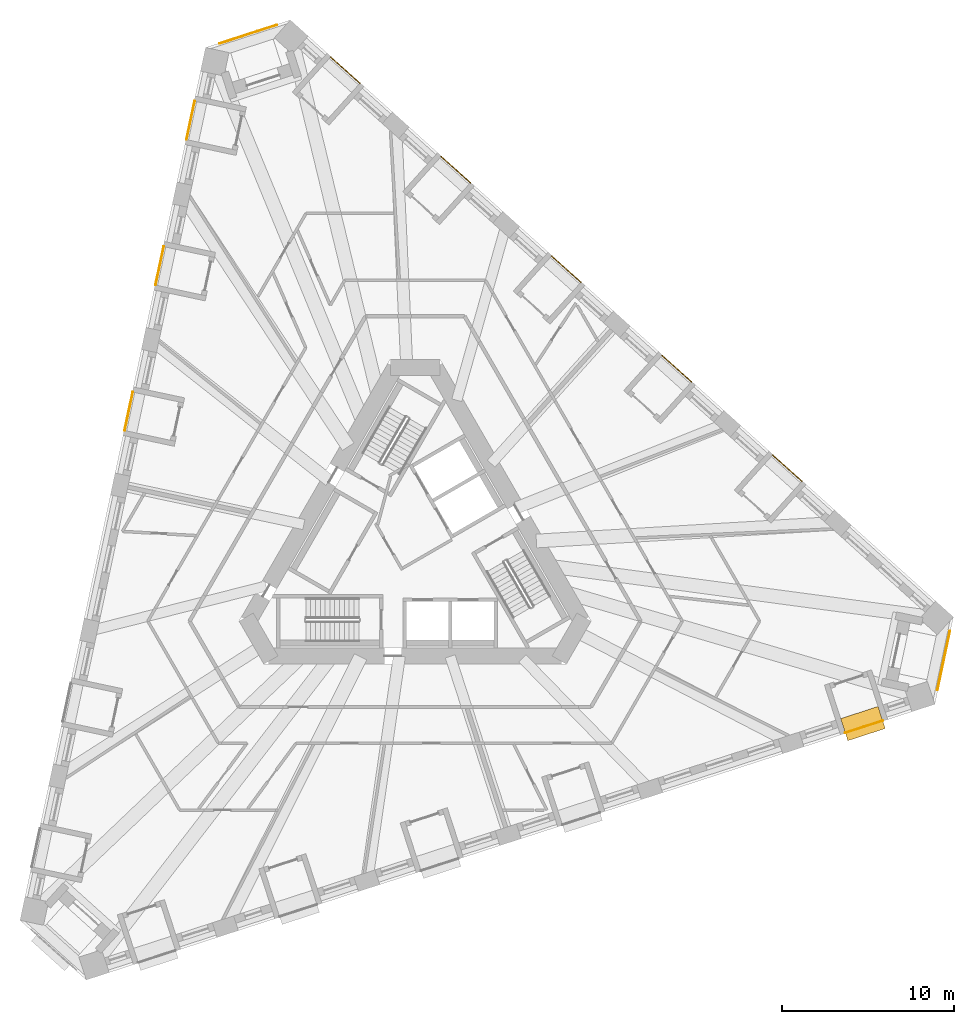
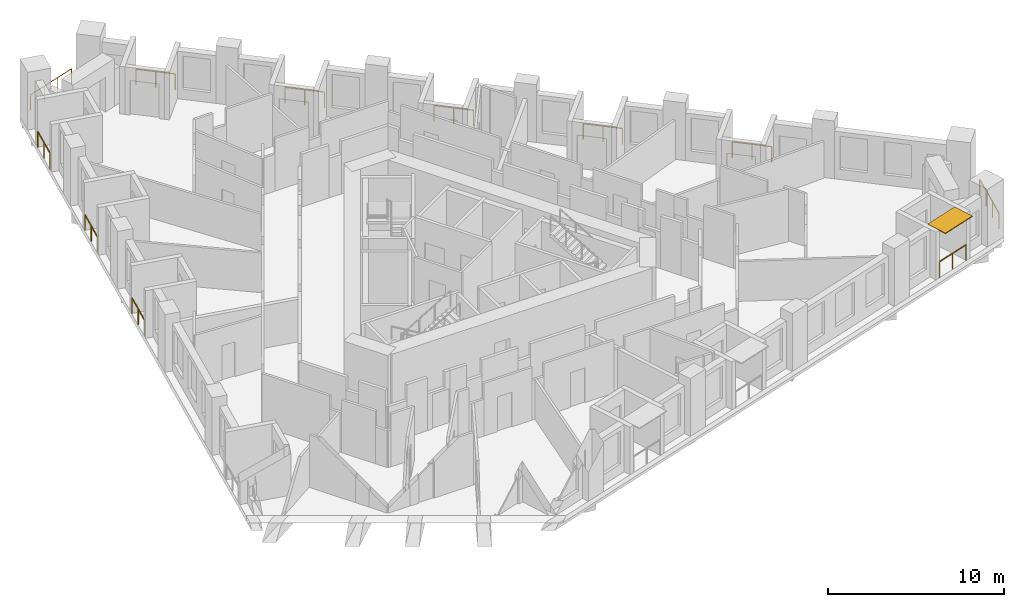
# One storey, part 12 of 12: 11 railings, 1 shading device.
"""IFC4 building model written with IfcOpenShell, lengths in metres."""

from ifc_helpers import new_model, si_unit, direction, frame, origin, origin_2d, place, context, subcontext, project, spatial, rectangle, circle, extrude, material, layer, layer_set, type_object, element, save


model = new_model("IFC4")

# Units and contexts
model_context = context("Model", 3, precision=1e-05, world=origin(), true_north=direction((0.0, 1.0)))
body_context = subcontext(model_context, "Body", "Model", "MODEL_VIEW")
ifc_project = project(units=[si_unit("LENGTHUNIT", "METRE"), si_unit("AREAUNIT", "SQUARE_METRE"), si_unit("VOLUMEUNIT", "CUBIC_METRE"), si_unit("PLANEANGLEUNIT", "RADIAN"), si_unit("MASSUNIT", "GRAM", prefix="KILO")], contexts=[model_context])

# Site, building, storey
site_placement = place(None, origin())
site = spatial("IfcSite", under=ifc_project, at=site_placement, CompositionType="ELEMENT")
building_placement = place(site_placement, origin())
building = spatial("IfcBuilding", under=site, at=building_placement, Name="Tramontana Tower", CompositionType="ELEMENT")
storey_placement = place(building_placement, frame((0.0, 0.0, 92.39990234375)))
storey = spatial("IfcBuildingStorey", under=building, at=storey_placement, Name="L20", CompositionType="ELEMENT", Elevation=92.39990234375)

# Railings
ifc_material_1 = material(Name="Laminated glass balustrade", Category="glass")
railing_type = type_object("IfcRailingType", Name="GD1 Loggia glass balustrade 1100", PredefinedType="BALUSTRADE", material=ifc_material_1)
railing_1_placement = place(storey_placement, frame((-12.838134765625, 26.031982421875, 0.0)))
element("IfcRailing", 1, at=railing_1_placement, inside=storey, type_object=railing_type, Name="Loggia balustrade L20 G2S0.1", PredefinedType="BALUSTRADE", context=body_context, shape_type="SweptSolid", body=[
    extrude(circle(Radius=0.02392578125, at=origin_2d()), frame((0.0, 0.0, 1.076171875), z_axis=(-0.207990282514, -0.978130892253, 0.0), x_axis=(0.978130892253, -0.207990282514, 0.0)), (0.0, 0.0, 1.0), 2.28662109375),
    extrude(circle(Radius=0.02099609375, at=origin_2d()), origin(), (0.0, 0.0, 1.0), 1.052001953125),
    extrude(circle(Radius=0.02099609375, at=origin_2d()), frame((-0.23779296875, -1.1181640625, 0.0)), (0.0, 0.0, 1.0), 1.052001953125),
    extrude(circle(Radius=0.02099609375, at=origin_2d()), frame((-0.4755859375, -2.236572265625, 0.0)), (0.0, 0.0, 1.0), 1.052001953125),
])
for number, where, name in (
    (2, (-14.638671875, 17.56103515625, 0.0), "Loggia balustrade L20 G2S0.4"),
    (3, (-16.439208984375, 9.090087890625, 0.0), "Loggia balustrade L20 G2S0.7"),
):
    element("IfcRailing", number, at=place(storey_placement, frame(where)), inside=storey, type_object=railing_type, Name=name, PredefinedType="BALUSTRADE", context=body_context, shape_type="SweptSolid", body=[
        extrude(circle(Radius=0.02392578125, at=origin_2d()), frame((0.0, 0.0, 1.076171875), z_axis=(-0.207968563016, -0.978135510447, 0.0), x_axis=(0.978135510447, -0.207968563016, 0.0)), (0.0, 0.0, 1.0), 2.286865234375),
        extrude(circle(Radius=0.02099609375, at=origin_2d()), origin(), (0.0, 0.0, 1.0), 1.052001953125),
        extrude(circle(Radius=0.02099609375, at=origin_2d()), frame((-0.23779296875, -1.118408203125, 0.0)), (0.0, 0.0, 1.0), 1.052001953125),
        extrude(circle(Radius=0.02099609375, at=origin_2d()), frame((-0.4755859375, -2.23681640625, 0.0)), (0.0, 0.0, 1.0), 1.052001953125),
    ])
railing_2_placement = place(storey_placement, frame((25.056640625, -10.75341796875, 0.0)))
element("IfcRailing", 4, at=railing_2_placement, inside=storey, type_object=railing_type, Name="Loggia balustrade L20 G2S1.16", PredefinedType="BALUSTRADE", context=body_context, shape_type="SweptSolid", body=[
    extrude(circle(Radius=0.02392578125, at=origin_2d()), frame((0.0, 0.0, 1.076171875), z_axis=(0.95103720697, 0.309076416051, 0.0), x_axis=(-0.309076416051, 0.95103720697, 0.0)), (0.0, 0.0, 1.0), 2.286865234375),
    extrude(circle(Radius=0.02099609375, at=origin_2d()), origin(), (0.0, 0.0, 1.0), 1.052001953125),
    extrude(circle(Radius=0.02099609375, at=origin_2d()), frame((1.08740234375, 0.353515625, 0.0)), (0.0, 0.0, 1.0), 1.052001953125),
    extrude(circle(Radius=0.02099609375, at=origin_2d()), frame((2.1748046875, 0.706787109375, 0.0)), (0.0, 0.0, 1.0), 1.052001953125),
])
for number, where, name in (
    (5, (22.527587890625, 3.89697265625, 0.0), "Loggia balustrade L20 G2S2.4"),
    (6, (16.091796875, 9.69189453125, 0.0), "Loggia balustrade L20 G2S2.7"),
):
    element("IfcRailing", number, at=place(storey_placement, frame(where)), inside=storey, type_object=railing_type, Name=name, PredefinedType="BALUSTRADE", context=body_context, shape_type="SweptSolid", body=[
        extrude(circle(Radius=0.02392578125, at=origin_2d()), frame((0.0, 0.0, 1.076171875), z_axis=(-0.743134851659, 0.66914168324, 0.0), x_axis=(-0.66914168324, -0.743134851659, 0.0)), (0.0, 0.0, 1.0), 2.28662109375),
        extrude(circle(Radius=0.02099609375, at=origin_2d()), origin(), (0.0, 0.0, 1.0), 1.052001953125),
        extrude(circle(Radius=0.02099609375, at=origin_2d()), frame((-0.849609375, 0.76513671875, 0.0)), (0.0, 0.0, 1.0), 1.052001953125),
        extrude(circle(Radius=0.02099609375, at=origin_2d()), frame((-1.69921875, 1.530029296875, 0.0)), (0.0, 0.0, 1.0), 1.052001953125),
    ])
railing_3_placement = place(storey_placement, frame((9.656005859375, 15.486572265625, 0.0)))
element("IfcRailing", 7, at=railing_3_placement, inside=storey, type_object=railing_type, Name="Loggia balustrade L20 G2S2.10", PredefinedType="BALUSTRADE", context=body_context, shape_type="SweptSolid", body=[
    extrude(circle(Radius=0.02392578125, at=origin_2d()), frame((0.0, 0.0, 1.076171875), z_axis=(-0.743081759278, 0.669200641832, 0.0), x_axis=(-0.669200641832, -0.743081759278, 0.0)), (0.0, 0.0, 1.0), 2.28662109375),
    extrude(circle(Radius=0.02099609375, at=origin_2d()), origin(), (0.0, 0.0, 1.0), 1.052001953125),
    extrude(circle(Radius=0.02099609375, at=origin_2d()), frame((-0.849609375, 0.76513671875, 0.0)), (0.0, 0.0, 1.0), 1.052001953125),
    extrude(circle(Radius=0.02099609375, at=origin_2d()), frame((-1.69921875, 1.5302734375, 0.0)), (0.0, 0.0, 1.0), 1.052001953125),
])
for number, where, name in (
    (8, (3.22021484375, 21.281494140625, 0.0), "Loggia balustrade L20 G2S2.13"),
    (9, (-3.215576171875, 27.076416015625, 0.0), "Loggia balustrade L20 G2S2.16"),
):
    element("IfcRailing", number, at=place(storey_placement, frame(where)), inside=storey, type_object=railing_type, Name=name, PredefinedType="BALUSTRADE", context=body_context, shape_type="SweptSolid", body=[
        extrude(circle(Radius=0.02392578125, at=origin_2d()), frame((0.0, 0.0, 1.076171875), z_axis=(-0.743182653308, 0.669088591909, 0.0), x_axis=(-0.669088591909, -0.743182653308, 0.0)), (0.0, 0.0, 1.0), 2.28662109375),
        extrude(circle(Radius=0.02099609375, at=origin_2d()), origin(), (0.0, 0.0, 1.0), 1.052001953125),
        extrude(circle(Radius=0.02099609375, at=origin_2d()), frame((-0.849609375, 0.76513671875, 0.0)), (0.0, 0.0, 1.0), 1.052001953125),
        extrude(circle(Radius=0.02099609375, at=origin_2d()), frame((-1.699462890625, 1.530029296875, 0.0)), (0.0, 0.0, 1.0), 1.052001953125),
    ])
railing_4_placement = place(storey_placement, frame((-11.38916015625, 29.388916015625, 0.0)))
element("IfcRailing", 10, at=railing_4_placement, inside=storey, type_object=railing_type, Name="Corner loggia balustrade L20 K20", PredefinedType="BALUSTRADE", context=body_context, shape_type="SweptSolid", body=[
    extrude(circle(Radius=0.02392578125, at=origin_2d()), frame((0.0, 0.0, 1.076171875), z_axis=(0.951062257173, 0.308999325213, 0.0), x_axis=(-0.308999325213, 0.951062257173, 0.0)), (0.0, 0.0, 1.0), 3.500244140625),
    extrude(circle(Radius=0.02099609375, at=origin_2d()), origin(), (0.0, 0.0, 1.0), 1.052001953125),
    extrude(circle(Radius=0.02099609375, at=origin_2d()), frame((1.109619140625, 0.360595703125, 0.0)), (0.0, 0.0, 1.0), 1.052001953125),
    extrude(circle(Radius=0.02099609375, at=origin_2d()), frame((2.21923828125, 0.720947265625, 0.0)), (0.0, 0.0, 1.0), 1.052001953125),
    extrude(circle(Radius=0.02099609375, at=origin_2d()), frame((3.328857421875, 1.08154296875, 0.0)), (0.0, 0.0, 1.0), 1.052001953125),
])
railing_5_placement = place(storey_placement, frame((31.146240234375, -4.831298828125, 0.0)))
element("IfcRailing", 11, at=railing_5_placement, inside=storey, type_object=railing_type, Name="Corner loggia balustrade L20 K22", PredefinedType="BALUSTRADE", context=body_context, shape_type="SweptSolid", body=[
    extrude(circle(Radius=0.02392578125, at=origin_2d()), frame((0.0, 0.0, 1.076171875), z_axis=(-0.207947190288, -0.978140054415, 0.0), x_axis=(0.978140054415, -0.207947190288, 0.0)), (0.0, 0.0, 1.0), 3.499755859375),
    extrude(circle(Radius=0.02099609375, at=origin_2d()), origin(), (0.0, 0.0, 1.0), 1.052001953125),
    extrude(circle(Radius=0.02099609375, at=origin_2d()), frame((-0.24267578125, -1.14111328125, 0.0)), (0.0, 0.0, 1.0), 1.052001953125),
    extrude(circle(Radius=0.02099609375, at=origin_2d()), frame((-0.485107421875, -2.2822265625, 0.0)), (0.0, 0.0, 1.0), 1.052001953125),
    extrude(circle(Radius=0.02099609375, at=origin_2d()), frame((-0.727783203125, -3.42333984375, 0.0)), (0.0, 0.0, 1.0), 1.052001953125),
])

# Shading device
ifc_material_2 = material(Name="Precast concrete 60 MPa", Category="concrete")
ifc_layer = layer(ifc_material_2, 0.06005859375)
ifc_layer_set = layer_set([ifc_layer], Name="SS1 Stone sunshade blade 60")
shading_device_type = type_object("IfcShadingDeviceType", Name="SS1 Stone sunshade blade 60", PredefinedType="USERDEFINED", material=ifc_layer_set)
shading_device_placement = place(storey_placement, frame((26.083740234375, -10.214599609375, 3.239990234375), z_axis=(0.0, 0.0, 1.0), x_axis=(0.951056516295, 0.309016994375, 0.0)))
element("IfcShadingDevice", 12, at=shading_device_placement, inside=storey, type_object=shading_device_type, Name="Sunshade L20 G2S1.16", ObjectType="SUNSHADE", PredefinedType="USERDEFINED", context=body_context, shape_type="SweptSolid", body=[
    extrude(rectangle(XDim=2.286865234375, YDim=1.35009765625, at=origin_2d()), origin(), (0.0, 0.0, 1.0), 0.06005859375),
])

save(model, "model.ifc")
